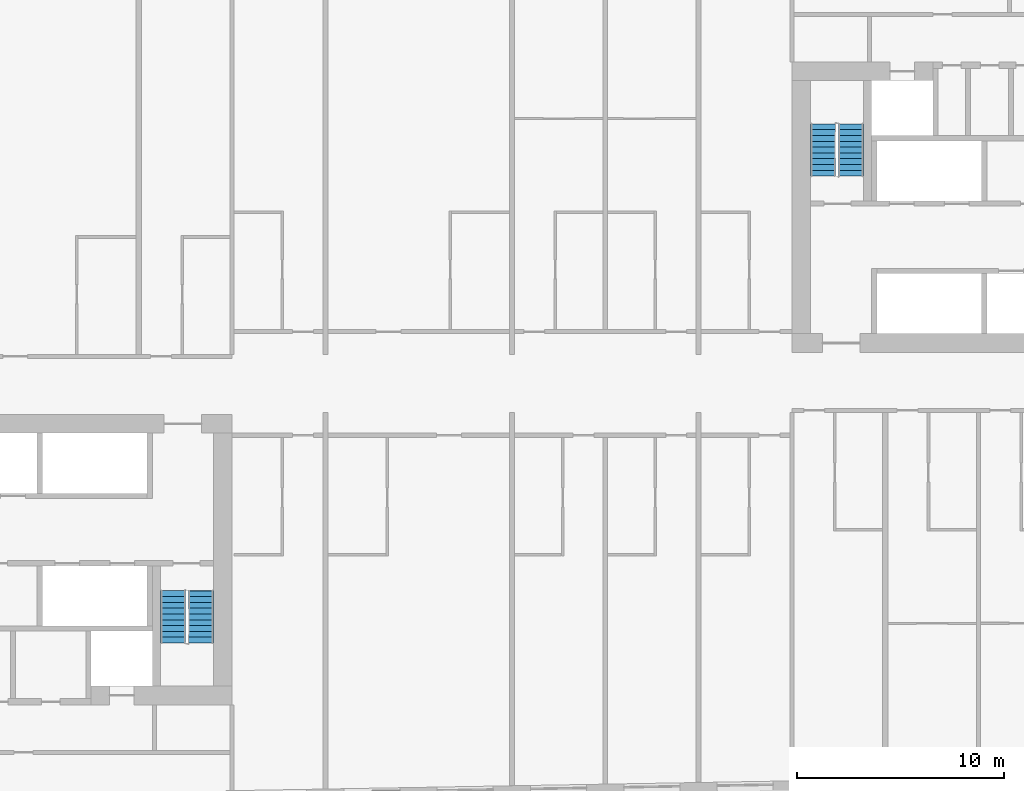
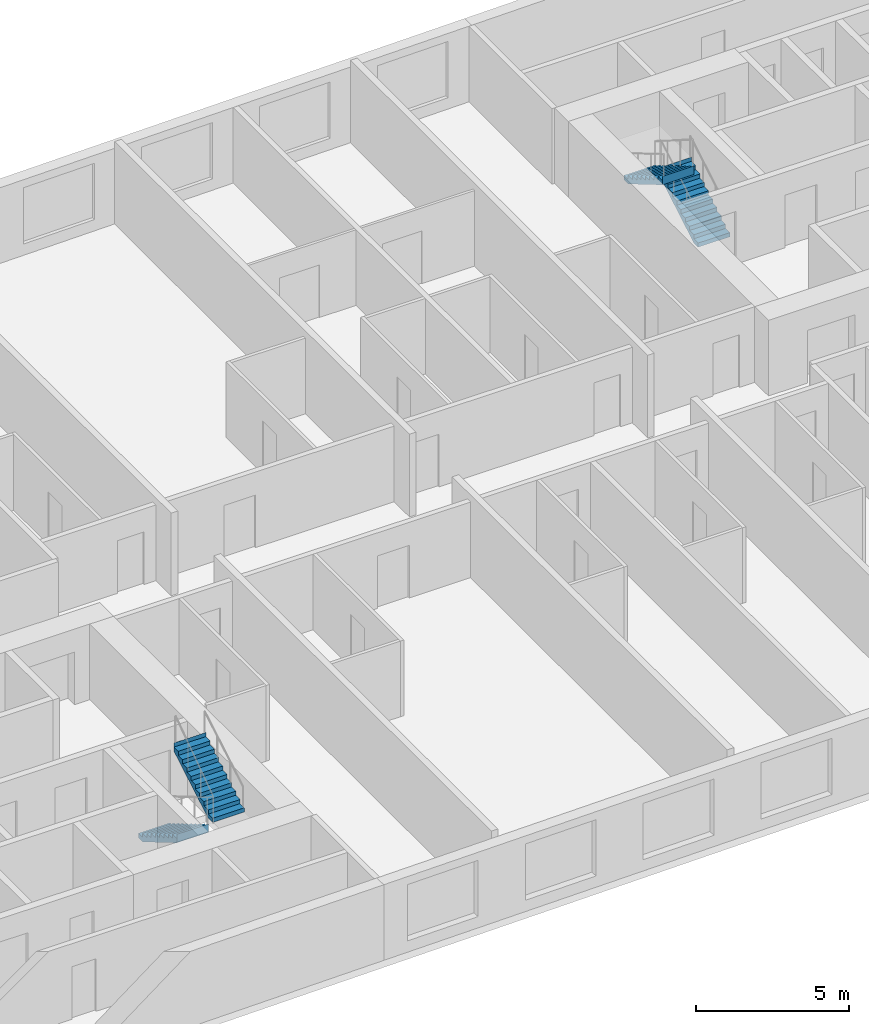
# One storey, part 9 of 11: 4 stair flights, 2 elements without a shape of their own.
"""IFC4 building model written with IfcOpenShell, lengths in metres."""

from ifc_helpers import new_model, si_unit, direction, frame, origin, place, context, subcontext, project, spatial, faceted_brep, material, type_object, element, aggregate, save


model = new_model("IFC4")

# Units and contexts
model_context = context("Model", 3, precision=1e-05, world=origin(), true_north=direction((0.0, 1.0)))
body_context = subcontext(model_context, "Body", "Model", "MODEL_VIEW")
ifc_project = project(units=[si_unit("LENGTHUNIT", "METRE"), si_unit("AREAUNIT", "SQUARE_METRE"), si_unit("VOLUMEUNIT", "CUBIC_METRE"), si_unit("PLANEANGLEUNIT", "RADIAN"), si_unit("MASSUNIT", "GRAM", prefix="KILO")], contexts=[model_context])

# Site, building, storey
site_placement = place(None, origin())
site = spatial("IfcSite", under=ifc_project, at=site_placement, CompositionType="ELEMENT")
building_placement = place(site_placement, origin())
building = spatial("IfcBuilding", under=site, at=building_placement, Name="Kajstack Hotel Tower", CompositionType="ELEMENT")
storey_placement = place(building_placement, frame((0.0, 0.0, 230.89990234375)))
storey = spatial("IfcBuildingStorey", under=building, at=storey_placement, Name="L56", CompositionType="ELEMENT", Elevation=230.89990234375)

# Stair, stair flights
ifc_material = material(Name="Concrete C40/50", Category="concrete")
stair_type = type_object("IfcStairType", Name="Exit stair 1200", PredefinedType="HALF_TURN_STAIR", material=ifc_material)
stair_1_placement = place(storey_placement, origin())
stair_1 = element("IfcStair", 1, at=stair_1_placement, inside=storey, type_object=stair_type, Name="L56 stair W2", PredefinedType="HALF_TURN_STAIR")
stair_flight_type = type_object("IfcStairFlightType", Name="Exit stair flight 1200", PredefinedType="STRAIGHT", material=ifc_material)
stair_flight_1_placement = place(storey_placement, frame((-16.35009765625, -10.0, 0.0), z_axis=(0.0, 0.0, 1.0), x_axis=(0.0, -1.0, 0.0)))
stair_flight_1 = element("IfcStairFlight", 2, at=stair_flight_1_placement, type_object=stair_flight_type, Name="W2 flight 1", NumberOfRisers=10, NumberOfTreads=9, PredefinedType="STRAIGHT", RiserHeight=0.165, TreadLength=0.28, context=body_context, shape_type="Brep", body=[
    faceted_brep([(0.295654296875, -0.60009765625, 0.0), (2.5205078125, -0.60009765625, 1.31103515625), (2.5205078125, -0.60009765625, 1.64990234375), (2.52001953125, -0.60009765625, 1.64990234375), (2.52001953125, -0.60009765625, 1.485107421875), (2.239990234375, -0.60009765625, 1.485107421875), (2.239990234375, -0.60009765625, 1.320068359375), (1.9599609375, -0.60009765625, 1.320068359375), (1.9599609375, -0.60009765625, 1.155029296875), (1.679931640625, -0.60009765625, 1.155029296875), (1.679931640625, -0.60009765625, 0.989990234375), (1.39990234375, -0.60009765625, 0.989990234375), (1.39990234375, -0.60009765625, 0.824951171875), (1.1201171875, -0.60009765625, 0.824951171875), (1.1201171875, -0.60009765625, 0.659912109375), (0.840087890625, -0.60009765625, 0.659912109375), (0.840087890625, -0.60009765625, 0.4951171875), (0.56005859375, -0.60009765625, 0.4951171875), (0.56005859375, -0.60009765625, 0.330078125), (0.280029296875, -0.60009765625, 0.330078125), (0.280029296875, -0.60009765625, 0.1650390625), (-0.00048828125, -0.60009765625, 0.1650390625), (-0.00048828125, -0.60009765625, 0.0), (-0.00048828125, 0.60009765625, 0.0), (-0.00048828125, 0.60009765625, 0.1650390625), (0.280029296875, 0.60009765625, 0.1650390625), (0.280029296875, 0.60009765625, 0.330078125), (0.56005859375, 0.60009765625, 0.330078125), (0.56005859375, 0.60009765625, 0.4951171875), (0.840087890625, 0.60009765625, 0.4951171875), (0.840087890625, 0.60009765625, 0.659912109375), (1.1201171875, 0.60009765625, 0.659912109375), (1.1201171875, 0.60009765625, 0.824951171875), (1.39990234375, 0.60009765625, 0.824951171875), (1.39990234375, 0.60009765625, 0.989990234375), (1.679931640625, 0.60009765625, 0.989990234375), (1.679931640625, 0.60009765625, 1.155029296875), (1.9599609375, 0.60009765625, 1.155029296875), (1.9599609375, 0.60009765625, 1.320068359375), (2.239990234375, 0.60009765625, 1.320068359375), (2.239990234375, 0.60009765625, 1.485107421875), (2.52001953125, 0.60009765625, 1.485107421875), (2.52001953125, 0.60009765625, 1.64990234375), (2.5205078125, 0.60009765625, 1.64990234375), (2.5205078125, 0.60009765625, 1.31103515625), (0.295654296875, 0.60009765625, 0.0), (-0.00048828125, -0.300048828125, 0.1650390625), (-0.00048828125, 0.0, 0.1650390625), (-0.00048828125, 0.300048828125, 0.1650390625), (-0.00048828125, 0.300048828125, 0.0), (-0.00048828125, 0.0, 0.0), (-0.00048828125, -0.300048828125, 0.0), (0.280029296875, -0.300048828125, 0.1650390625), (0.280029296875, 0.0, 0.1650390625), (0.280029296875, 0.300048828125, 0.1650390625), (0.280029296875, -0.300048828125, 0.330078125), (0.280029296875, 0.0, 0.330078125), (0.280029296875, 0.300048828125, 0.330078125), (0.56005859375, -0.300048828125, 0.330078125), (0.56005859375, 0.0, 0.330078125), (0.56005859375, 0.300048828125, 0.330078125), (0.56005859375, -0.300048828125, 0.4951171875), (0.56005859375, 0.0, 0.4951171875), (0.56005859375, 0.300048828125, 0.4951171875), (0.840087890625, -0.300048828125, 0.4951171875), (0.840087890625, 0.0, 0.4951171875), (0.840087890625, 0.300048828125, 0.4951171875), (0.840087890625, -0.300048828125, 0.659912109375), (0.840087890625, 0.0, 0.659912109375), (0.840087890625, 0.300048828125, 0.659912109375), (1.1201171875, -0.300048828125, 0.659912109375), (1.1201171875, 0.0, 0.659912109375), (1.1201171875, 0.300048828125, 0.659912109375), (1.1201171875, -0.300048828125, 0.824951171875), (1.1201171875, 0.0, 0.824951171875), (1.1201171875, 0.300048828125, 0.824951171875), (1.39990234375, -0.300048828125, 0.824951171875), (1.39990234375, 0.0, 0.824951171875), (1.39990234375, 0.300048828125, 0.824951171875), (1.39990234375, -0.300048828125, 0.989990234375), (1.39990234375, 0.0, 0.989990234375), (1.39990234375, 0.300048828125, 0.989990234375), (1.679931640625, -0.300048828125, 0.989990234375), (1.679931640625, 0.0, 0.989990234375), (1.679931640625, 0.300048828125, 0.989990234375), (1.679931640625, -0.300048828125, 1.155029296875), (1.679931640625, 0.0, 1.155029296875), (1.679931640625, 0.300048828125, 1.155029296875), (1.9599609375, -0.300048828125, 1.155029296875), (1.9599609375, 0.0, 1.155029296875), (1.9599609375, 0.300048828125, 1.155029296875), (1.9599609375, -0.300048828125, 1.320068359375), (1.9599609375, 0.0, 1.320068359375), (1.9599609375, 0.300048828125, 1.320068359375), (2.239990234375, -0.300048828125, 1.320068359375), (2.239990234375, 0.0, 1.320068359375), (2.239990234375, 0.300048828125, 1.320068359375), (2.239990234375, -0.300048828125, 1.485107421875), (2.239990234375, 0.0, 1.485107421875), (2.239990234375, 0.300048828125, 1.485107421875), (2.52001953125, -0.300048828125, 1.485107421875), (2.52001953125, 0.0, 1.485107421875), (2.52001953125, 0.300048828125, 1.485107421875), (2.52001953125, -0.300048828125, 1.64990234375), (2.52001953125, 0.0, 1.64990234375), (2.52001953125, 0.300048828125, 1.64990234375), (2.5205078125, -0.300048828125, 1.64990234375), (2.5205078125, 0.0, 1.64990234375), (2.5205078125, 0.300048828125, 1.64990234375), (2.5205078125, -0.300048828125, 1.31103515625), (2.5205078125, 0.0, 1.31103515625), (2.5205078125, 0.300048828125, 1.31103515625), (0.295654296875, -0.300048828125, 0.0), (0.295654296875, 0.0, 0.0), (0.295654296875, 0.300048828125, 0.0)], [[[0, 1, 2, 3, 4, 5, 6, 7, 8, 9, 10, 11, 12, 13, 14, 15, 16, 17, 18, 19, 20, 21, 22]], [[23, 24, 25, 26, 27, 28, 29, 30, 31, 32, 33, 34, 35, 36, 37, 38, 39, 40, 41, 42, 43, 44, 45]], [[21, 46, 47, 48, 24, 23, 49, 50, 51, 22]], [[20, 52, 53, 54, 25, 24, 48, 47, 46, 21]], [[19, 55, 56, 57, 26, 25, 54, 53, 52, 20]], [[18, 58, 59, 60, 27, 26, 57, 56, 55, 19]], [[17, 61, 62, 63, 28, 27, 60, 59, 58, 18]], [[16, 64, 65, 66, 29, 28, 63, 62, 61, 17]], [[15, 67, 68, 69, 30, 29, 66, 65, 64, 16]], [[14, 70, 71, 72, 31, 30, 69, 68, 67, 15]], [[13, 73, 74, 75, 32, 31, 72, 71, 70, 14]], [[12, 76, 77, 78, 33, 32, 75, 74, 73, 13]], [[11, 79, 80, 81, 34, 33, 78, 77, 76, 12]], [[10, 82, 83, 84, 35, 34, 81, 80, 79, 11]], [[9, 85, 86, 87, 36, 35, 84, 83, 82, 10]], [[8, 88, 89, 90, 37, 36, 87, 86, 85, 9]], [[7, 91, 92, 93, 38, 37, 90, 89, 88, 8]], [[6, 94, 95, 96, 39, 38, 93, 92, 91, 7]], [[5, 97, 98, 99, 40, 39, 96, 95, 94, 6]], [[4, 100, 101, 102, 41, 40, 99, 98, 97, 5]], [[3, 103, 104, 105, 42, 41, 102, 101, 100, 4]], [[2, 106, 107, 108, 43, 42, 105, 104, 103, 3]], [[1, 109, 110, 111, 44, 43, 108, 107, 106, 2]], [[0, 112, 113, 114, 45, 44, 111, 110, 109, 1]], [[22, 51, 50, 49, 23, 45, 114, 113, 112, 0]]]),
])
stair_flight_2_placement = place(storey_placement, frame((-15.0, -12.52001953125, 1.650146484375), z_axis=(0.0, 0.0, 1.0), x_axis=(0.0, 1.0, 0.0)))
stair_flight_2 = element("IfcStairFlight", 3, at=stair_flight_2_placement, type_object=stair_flight_type, Name="W2 flight 2", NumberOfRisers=10, NumberOfTreads=9, PredefinedType="STRAIGHT", RiserHeight=0.165, TreadLength=0.28, context=body_context, shape_type="Brep", body=[
    faceted_brep([(0.295654296875, -0.60009765625, 0.0), (2.5205078125, -0.60009765625, 1.31103515625), (2.5205078125, -0.60009765625, 1.64990234375), (2.52001953125, -0.60009765625, 1.64990234375), (2.52001953125, -0.60009765625, 1.485107421875), (2.239990234375, -0.60009765625, 1.485107421875), (2.239990234375, -0.60009765625, 1.320068359375), (1.9599609375, -0.60009765625, 1.320068359375), (1.9599609375, -0.60009765625, 1.155029296875), (1.679931640625, -0.60009765625, 1.155029296875), (1.679931640625, -0.60009765625, 0.989990234375), (1.39990234375, -0.60009765625, 0.989990234375), (1.39990234375, -0.60009765625, 0.824951171875), (1.1201171875, -0.60009765625, 0.824951171875), (1.1201171875, -0.60009765625, 0.659912109375), (0.840087890625, -0.60009765625, 0.659912109375), (0.840087890625, -0.60009765625, 0.4951171875), (0.56005859375, -0.60009765625, 0.4951171875), (0.56005859375, -0.60009765625, 0.330078125), (0.280029296875, -0.60009765625, 0.330078125), (0.280029296875, -0.60009765625, 0.1650390625), (-0.00048828125, -0.60009765625, 0.1650390625), (-0.00048828125, -0.60009765625, 0.0), (-0.00048828125, 0.60009765625, 0.0), (-0.00048828125, 0.60009765625, 0.1650390625), (0.280029296875, 0.60009765625, 0.1650390625), (0.280029296875, 0.60009765625, 0.330078125), (0.56005859375, 0.60009765625, 0.330078125), (0.56005859375, 0.60009765625, 0.4951171875), (0.840087890625, 0.60009765625, 0.4951171875), (0.840087890625, 0.60009765625, 0.659912109375), (1.1201171875, 0.60009765625, 0.659912109375), (1.1201171875, 0.60009765625, 0.824951171875), (1.39990234375, 0.60009765625, 0.824951171875), (1.39990234375, 0.60009765625, 0.989990234375), (1.679931640625, 0.60009765625, 0.989990234375), (1.679931640625, 0.60009765625, 1.155029296875), (1.9599609375, 0.60009765625, 1.155029296875), (1.9599609375, 0.60009765625, 1.320068359375), (2.239990234375, 0.60009765625, 1.320068359375), (2.239990234375, 0.60009765625, 1.485107421875), (2.52001953125, 0.60009765625, 1.485107421875), (2.52001953125, 0.60009765625, 1.64990234375), (2.5205078125, 0.60009765625, 1.64990234375), (2.5205078125, 0.60009765625, 1.31103515625), (0.295654296875, 0.60009765625, 0.0), (-0.00048828125, -0.300048828125, 0.1650390625), (-0.00048828125, 0.0, 0.1650390625), (-0.00048828125, 0.300048828125, 0.1650390625), (-0.00048828125, 0.300048828125, 0.0), (-0.00048828125, 0.0, 0.0), (-0.00048828125, -0.300048828125, 0.0), (0.280029296875, -0.300048828125, 0.1650390625), (0.280029296875, 0.0, 0.1650390625), (0.280029296875, 0.300048828125, 0.1650390625), (0.280029296875, -0.300048828125, 0.330078125), (0.280029296875, 0.0, 0.330078125), (0.280029296875, 0.300048828125, 0.330078125), (0.56005859375, -0.300048828125, 0.330078125), (0.56005859375, 0.0, 0.330078125), (0.56005859375, 0.300048828125, 0.330078125), (0.56005859375, -0.300048828125, 0.4951171875), (0.56005859375, 0.0, 0.4951171875), (0.56005859375, 0.300048828125, 0.4951171875), (0.840087890625, -0.300048828125, 0.4951171875), (0.840087890625, 0.0, 0.4951171875), (0.840087890625, 0.300048828125, 0.4951171875), (0.840087890625, -0.300048828125, 0.659912109375), (0.840087890625, 0.0, 0.659912109375), (0.840087890625, 0.300048828125, 0.659912109375), (1.1201171875, -0.300048828125, 0.659912109375), (1.1201171875, 0.0, 0.659912109375), (1.1201171875, 0.300048828125, 0.659912109375), (1.1201171875, -0.300048828125, 0.824951171875), (1.1201171875, 0.0, 0.824951171875), (1.1201171875, 0.300048828125, 0.824951171875), (1.39990234375, -0.300048828125, 0.824951171875), (1.39990234375, 0.0, 0.824951171875), (1.39990234375, 0.300048828125, 0.824951171875), (1.39990234375, -0.300048828125, 0.989990234375), (1.39990234375, 0.0, 0.989990234375), (1.39990234375, 0.300048828125, 0.989990234375), (1.679931640625, -0.300048828125, 0.989990234375), (1.679931640625, 0.0, 0.989990234375), (1.679931640625, 0.300048828125, 0.989990234375), (1.679931640625, -0.300048828125, 1.155029296875), (1.679931640625, 0.0, 1.155029296875), (1.679931640625, 0.300048828125, 1.155029296875), (1.9599609375, -0.300048828125, 1.155029296875), (1.9599609375, 0.0, 1.155029296875), (1.9599609375, 0.300048828125, 1.155029296875), (1.9599609375, -0.300048828125, 1.320068359375), (1.9599609375, 0.0, 1.320068359375), (1.9599609375, 0.300048828125, 1.320068359375), (2.239990234375, -0.300048828125, 1.320068359375), (2.239990234375, 0.0, 1.320068359375), (2.239990234375, 0.300048828125, 1.320068359375), (2.239990234375, -0.300048828125, 1.485107421875), (2.239990234375, 0.0, 1.485107421875), (2.239990234375, 0.300048828125, 1.485107421875), (2.52001953125, -0.300048828125, 1.485107421875), (2.52001953125, 0.0, 1.485107421875), (2.52001953125, 0.300048828125, 1.485107421875), (2.52001953125, -0.300048828125, 1.64990234375), (2.52001953125, 0.0, 1.64990234375), (2.52001953125, 0.300048828125, 1.64990234375), (2.5205078125, -0.300048828125, 1.64990234375), (2.5205078125, 0.0, 1.64990234375), (2.5205078125, 0.300048828125, 1.64990234375), (2.5205078125, -0.300048828125, 1.31103515625), (2.5205078125, 0.0, 1.31103515625), (2.5205078125, 0.300048828125, 1.31103515625), (0.295654296875, -0.300048828125, 0.0), (0.295654296875, 0.0, 0.0), (0.295654296875, 0.300048828125, 0.0)], [[[0, 1, 2, 3, 4, 5, 6, 7, 8, 9, 10, 11, 12, 13, 14, 15, 16, 17, 18, 19, 20, 21, 22]], [[23, 24, 25, 26, 27, 28, 29, 30, 31, 32, 33, 34, 35, 36, 37, 38, 39, 40, 41, 42, 43, 44, 45]], [[21, 46, 47, 48, 24, 23, 49, 50, 51, 22]], [[20, 52, 53, 54, 25, 24, 48, 47, 46, 21]], [[19, 55, 56, 57, 26, 25, 54, 53, 52, 20]], [[18, 58, 59, 60, 27, 26, 57, 56, 55, 19]], [[17, 61, 62, 63, 28, 27, 60, 59, 58, 18]], [[16, 64, 65, 66, 29, 28, 63, 62, 61, 17]], [[15, 67, 68, 69, 30, 29, 66, 65, 64, 16]], [[14, 70, 71, 72, 31, 30, 69, 68, 67, 15]], [[13, 73, 74, 75, 32, 31, 72, 71, 70, 14]], [[12, 76, 77, 78, 33, 32, 75, 74, 73, 13]], [[11, 79, 80, 81, 34, 33, 78, 77, 76, 12]], [[10, 82, 83, 84, 35, 34, 81, 80, 79, 11]], [[9, 85, 86, 87, 36, 35, 84, 83, 82, 10]], [[8, 88, 89, 90, 37, 36, 87, 86, 85, 9]], [[7, 91, 92, 93, 38, 37, 90, 89, 88, 8]], [[6, 94, 95, 96, 39, 38, 93, 92, 91, 7]], [[5, 97, 98, 99, 40, 39, 96, 95, 94, 6]], [[4, 100, 101, 102, 41, 40, 99, 98, 97, 5]], [[3, 103, 104, 105, 42, 41, 102, 101, 100, 4]], [[2, 106, 107, 108, 43, 42, 105, 104, 103, 3]], [[1, 109, 110, 111, 44, 43, 108, 107, 106, 2]], [[0, 112, 113, 114, 45, 44, 111, 110, 109, 1]], [[22, 51, 50, 49, 23, 45, 114, 113, 112, 0]]]),
])
aggregate(stair_1, [stair_flight_1, stair_flight_2])

stair_2_placement = place(storey_placement, origin())
stair_2 = element("IfcStair", 4, at=stair_2_placement, inside=storey, type_object=stair_type, Name="L56 stair E2", PredefinedType="HALF_TURN_STAIR")
stair_flight_3_placement = place(storey_placement, frame((16.35009765625, 10.0, 0.0), z_axis=(0.0, 0.0, 1.0), x_axis=(0.0, 1.0, 0.0)))
stair_flight_3 = element("IfcStairFlight", 5, at=stair_flight_3_placement, type_object=stair_flight_type, Name="E2 flight 1", NumberOfRisers=10, NumberOfTreads=9, PredefinedType="STRAIGHT", RiserHeight=0.165, TreadLength=0.28, context=body_context, shape_type="Brep", body=[
    faceted_brep([(0.295654296875, -0.60009765625, 0.0), (2.5205078125, -0.60009765625, 1.31103515625), (2.5205078125, -0.60009765625, 1.64990234375), (2.52001953125, -0.60009765625, 1.64990234375), (2.52001953125, -0.60009765625, 1.485107421875), (2.239990234375, -0.60009765625, 1.485107421875), (2.239990234375, -0.60009765625, 1.320068359375), (1.9599609375, -0.60009765625, 1.320068359375), (1.9599609375, -0.60009765625, 1.155029296875), (1.679931640625, -0.60009765625, 1.155029296875), (1.679931640625, -0.60009765625, 0.989990234375), (1.39990234375, -0.60009765625, 0.989990234375), (1.39990234375, -0.60009765625, 0.824951171875), (1.1201171875, -0.60009765625, 0.824951171875), (1.1201171875, -0.60009765625, 0.659912109375), (0.840087890625, -0.60009765625, 0.659912109375), (0.840087890625, -0.60009765625, 0.4951171875), (0.56005859375, -0.60009765625, 0.4951171875), (0.56005859375, -0.60009765625, 0.330078125), (0.280029296875, -0.60009765625, 0.330078125), (0.280029296875, -0.60009765625, 0.1650390625), (-0.00048828125, -0.60009765625, 0.1650390625), (-0.00048828125, -0.60009765625, 0.0), (-0.00048828125, 0.60009765625, 0.0), (-0.00048828125, 0.60009765625, 0.1650390625), (0.280029296875, 0.60009765625, 0.1650390625), (0.280029296875, 0.60009765625, 0.330078125), (0.56005859375, 0.60009765625, 0.330078125), (0.56005859375, 0.60009765625, 0.4951171875), (0.840087890625, 0.60009765625, 0.4951171875), (0.840087890625, 0.60009765625, 0.659912109375), (1.1201171875, 0.60009765625, 0.659912109375), (1.1201171875, 0.60009765625, 0.824951171875), (1.39990234375, 0.60009765625, 0.824951171875), (1.39990234375, 0.60009765625, 0.989990234375), (1.679931640625, 0.60009765625, 0.989990234375), (1.679931640625, 0.60009765625, 1.155029296875), (1.9599609375, 0.60009765625, 1.155029296875), (1.9599609375, 0.60009765625, 1.320068359375), (2.239990234375, 0.60009765625, 1.320068359375), (2.239990234375, 0.60009765625, 1.485107421875), (2.52001953125, 0.60009765625, 1.485107421875), (2.52001953125, 0.60009765625, 1.64990234375), (2.5205078125, 0.60009765625, 1.64990234375), (2.5205078125, 0.60009765625, 1.31103515625), (0.295654296875, 0.60009765625, 0.0), (-0.00048828125, -0.300048828125, 0.1650390625), (-0.00048828125, 0.0, 0.1650390625), (-0.00048828125, 0.300048828125, 0.1650390625), (-0.00048828125, 0.300048828125, 0.0), (-0.00048828125, 0.0, 0.0), (-0.00048828125, -0.300048828125, 0.0), (0.280029296875, -0.300048828125, 0.1650390625), (0.280029296875, 0.0, 0.1650390625), (0.280029296875, 0.300048828125, 0.1650390625), (0.280029296875, -0.300048828125, 0.330078125), (0.280029296875, 0.0, 0.330078125), (0.280029296875, 0.300048828125, 0.330078125), (0.56005859375, -0.300048828125, 0.330078125), (0.56005859375, 0.0, 0.330078125), (0.56005859375, 0.300048828125, 0.330078125), (0.56005859375, -0.300048828125, 0.4951171875), (0.56005859375, 0.0, 0.4951171875), (0.56005859375, 0.300048828125, 0.4951171875), (0.840087890625, -0.300048828125, 0.4951171875), (0.840087890625, 0.0, 0.4951171875), (0.840087890625, 0.300048828125, 0.4951171875), (0.840087890625, -0.300048828125, 0.659912109375), (0.840087890625, 0.0, 0.659912109375), (0.840087890625, 0.300048828125, 0.659912109375), (1.1201171875, -0.300048828125, 0.659912109375), (1.1201171875, 0.0, 0.659912109375), (1.1201171875, 0.300048828125, 0.659912109375), (1.1201171875, -0.300048828125, 0.824951171875), (1.1201171875, 0.0, 0.824951171875), (1.1201171875, 0.300048828125, 0.824951171875), (1.39990234375, -0.300048828125, 0.824951171875), (1.39990234375, 0.0, 0.824951171875), (1.39990234375, 0.300048828125, 0.824951171875), (1.39990234375, -0.300048828125, 0.989990234375), (1.39990234375, 0.0, 0.989990234375), (1.39990234375, 0.300048828125, 0.989990234375), (1.679931640625, -0.300048828125, 0.989990234375), (1.679931640625, 0.0, 0.989990234375), (1.679931640625, 0.300048828125, 0.989990234375), (1.679931640625, -0.300048828125, 1.155029296875), (1.679931640625, 0.0, 1.155029296875), (1.679931640625, 0.300048828125, 1.155029296875), (1.9599609375, -0.300048828125, 1.155029296875), (1.9599609375, 0.0, 1.155029296875), (1.9599609375, 0.300048828125, 1.155029296875), (1.9599609375, -0.300048828125, 1.320068359375), (1.9599609375, 0.0, 1.320068359375), (1.9599609375, 0.300048828125, 1.320068359375), (2.239990234375, -0.300048828125, 1.320068359375), (2.239990234375, 0.0, 1.320068359375), (2.239990234375, 0.300048828125, 1.320068359375), (2.239990234375, -0.300048828125, 1.485107421875), (2.239990234375, 0.0, 1.485107421875), (2.239990234375, 0.300048828125, 1.485107421875), (2.52001953125, -0.300048828125, 1.485107421875), (2.52001953125, 0.0, 1.485107421875), (2.52001953125, 0.300048828125, 1.485107421875), (2.52001953125, -0.300048828125, 1.64990234375), (2.52001953125, 0.0, 1.64990234375), (2.52001953125, 0.300048828125, 1.64990234375), (2.5205078125, -0.300048828125, 1.64990234375), (2.5205078125, 0.0, 1.64990234375), (2.5205078125, 0.300048828125, 1.64990234375), (2.5205078125, -0.300048828125, 1.31103515625), (2.5205078125, 0.0, 1.31103515625), (2.5205078125, 0.300048828125, 1.31103515625), (0.295654296875, -0.300048828125, 0.0), (0.295654296875, 0.0, 0.0), (0.295654296875, 0.300048828125, 0.0)], [[[0, 1, 2, 3, 4, 5, 6, 7, 8, 9, 10, 11, 12, 13, 14, 15, 16, 17, 18, 19, 20, 21, 22]], [[23, 24, 25, 26, 27, 28, 29, 30, 31, 32, 33, 34, 35, 36, 37, 38, 39, 40, 41, 42, 43, 44, 45]], [[21, 46, 47, 48, 24, 23, 49, 50, 51, 22]], [[20, 52, 53, 54, 25, 24, 48, 47, 46, 21]], [[19, 55, 56, 57, 26, 25, 54, 53, 52, 20]], [[18, 58, 59, 60, 27, 26, 57, 56, 55, 19]], [[17, 61, 62, 63, 28, 27, 60, 59, 58, 18]], [[16, 64, 65, 66, 29, 28, 63, 62, 61, 17]], [[15, 67, 68, 69, 30, 29, 66, 65, 64, 16]], [[14, 70, 71, 72, 31, 30, 69, 68, 67, 15]], [[13, 73, 74, 75, 32, 31, 72, 71, 70, 14]], [[12, 76, 77, 78, 33, 32, 75, 74, 73, 13]], [[11, 79, 80, 81, 34, 33, 78, 77, 76, 12]], [[10, 82, 83, 84, 35, 34, 81, 80, 79, 11]], [[9, 85, 86, 87, 36, 35, 84, 83, 82, 10]], [[8, 88, 89, 90, 37, 36, 87, 86, 85, 9]], [[7, 91, 92, 93, 38, 37, 90, 89, 88, 8]], [[6, 94, 95, 96, 39, 38, 93, 92, 91, 7]], [[5, 97, 98, 99, 40, 39, 96, 95, 94, 6]], [[4, 100, 101, 102, 41, 40, 99, 98, 97, 5]], [[3, 103, 104, 105, 42, 41, 102, 101, 100, 4]], [[2, 106, 107, 108, 43, 42, 105, 104, 103, 3]], [[1, 109, 110, 111, 44, 43, 108, 107, 106, 2]], [[0, 112, 113, 114, 45, 44, 111, 110, 109, 1]], [[22, 51, 50, 49, 23, 45, 114, 113, 112, 0]]]),
])
stair_flight_4_placement = place(storey_placement, frame((15.0, 12.52001953125, 1.650146484375), z_axis=(0.0, 0.0, 1.0), x_axis=(0.0, -1.0, 0.0)))
stair_flight_4 = element("IfcStairFlight", 6, at=stair_flight_4_placement, type_object=stair_flight_type, Name="E2 flight 2", NumberOfRisers=10, NumberOfTreads=9, PredefinedType="STRAIGHT", RiserHeight=0.165, TreadLength=0.28, context=body_context, shape_type="Brep", body=[
    faceted_brep([(0.295654296875, -0.60009765625, 0.0), (2.5205078125, -0.60009765625, 1.31103515625), (2.5205078125, -0.60009765625, 1.64990234375), (2.52001953125, -0.60009765625, 1.64990234375), (2.52001953125, -0.60009765625, 1.485107421875), (2.239990234375, -0.60009765625, 1.485107421875), (2.239990234375, -0.60009765625, 1.320068359375), (1.9599609375, -0.60009765625, 1.320068359375), (1.9599609375, -0.60009765625, 1.155029296875), (1.679931640625, -0.60009765625, 1.155029296875), (1.679931640625, -0.60009765625, 0.989990234375), (1.39990234375, -0.60009765625, 0.989990234375), (1.39990234375, -0.60009765625, 0.824951171875), (1.1201171875, -0.60009765625, 0.824951171875), (1.1201171875, -0.60009765625, 0.659912109375), (0.840087890625, -0.60009765625, 0.659912109375), (0.840087890625, -0.60009765625, 0.4951171875), (0.56005859375, -0.60009765625, 0.4951171875), (0.56005859375, -0.60009765625, 0.330078125), (0.280029296875, -0.60009765625, 0.330078125), (0.280029296875, -0.60009765625, 0.1650390625), (-0.00048828125, -0.60009765625, 0.1650390625), (-0.00048828125, -0.60009765625, 0.0), (-0.00048828125, 0.60009765625, 0.0), (-0.00048828125, 0.60009765625, 0.1650390625), (0.280029296875, 0.60009765625, 0.1650390625), (0.280029296875, 0.60009765625, 0.330078125), (0.56005859375, 0.60009765625, 0.330078125), (0.56005859375, 0.60009765625, 0.4951171875), (0.840087890625, 0.60009765625, 0.4951171875), (0.840087890625, 0.60009765625, 0.659912109375), (1.1201171875, 0.60009765625, 0.659912109375), (1.1201171875, 0.60009765625, 0.824951171875), (1.39990234375, 0.60009765625, 0.824951171875), (1.39990234375, 0.60009765625, 0.989990234375), (1.679931640625, 0.60009765625, 0.989990234375), (1.679931640625, 0.60009765625, 1.155029296875), (1.9599609375, 0.60009765625, 1.155029296875), (1.9599609375, 0.60009765625, 1.320068359375), (2.239990234375, 0.60009765625, 1.320068359375), (2.239990234375, 0.60009765625, 1.485107421875), (2.52001953125, 0.60009765625, 1.485107421875), (2.52001953125, 0.60009765625, 1.64990234375), (2.5205078125, 0.60009765625, 1.64990234375), (2.5205078125, 0.60009765625, 1.31103515625), (0.295654296875, 0.60009765625, 0.0), (-0.00048828125, -0.300048828125, 0.1650390625), (-0.00048828125, 0.0, 0.1650390625), (-0.00048828125, 0.300048828125, 0.1650390625), (-0.00048828125, 0.300048828125, 0.0), (-0.00048828125, 0.0, 0.0), (-0.00048828125, -0.300048828125, 0.0), (0.280029296875, -0.300048828125, 0.1650390625), (0.280029296875, 0.0, 0.1650390625), (0.280029296875, 0.300048828125, 0.1650390625), (0.280029296875, -0.300048828125, 0.330078125), (0.280029296875, 0.0, 0.330078125), (0.280029296875, 0.300048828125, 0.330078125), (0.56005859375, -0.300048828125, 0.330078125), (0.56005859375, 0.0, 0.330078125), (0.56005859375, 0.300048828125, 0.330078125), (0.56005859375, -0.300048828125, 0.4951171875), (0.56005859375, 0.0, 0.4951171875), (0.56005859375, 0.300048828125, 0.4951171875), (0.840087890625, -0.300048828125, 0.4951171875), (0.840087890625, 0.0, 0.4951171875), (0.840087890625, 0.300048828125, 0.4951171875), (0.840087890625, -0.300048828125, 0.659912109375), (0.840087890625, 0.0, 0.659912109375), (0.840087890625, 0.300048828125, 0.659912109375), (1.1201171875, -0.300048828125, 0.659912109375), (1.1201171875, 0.0, 0.659912109375), (1.1201171875, 0.300048828125, 0.659912109375), (1.1201171875, -0.300048828125, 0.824951171875), (1.1201171875, 0.0, 0.824951171875), (1.1201171875, 0.300048828125, 0.824951171875), (1.39990234375, -0.300048828125, 0.824951171875), (1.39990234375, 0.0, 0.824951171875), (1.39990234375, 0.300048828125, 0.824951171875), (1.39990234375, -0.300048828125, 0.989990234375), (1.39990234375, 0.0, 0.989990234375), (1.39990234375, 0.300048828125, 0.989990234375), (1.679931640625, -0.300048828125, 0.989990234375), (1.679931640625, 0.0, 0.989990234375), (1.679931640625, 0.300048828125, 0.989990234375), (1.679931640625, -0.300048828125, 1.155029296875), (1.679931640625, 0.0, 1.155029296875), (1.679931640625, 0.300048828125, 1.155029296875), (1.9599609375, -0.300048828125, 1.155029296875), (1.9599609375, 0.0, 1.155029296875), (1.9599609375, 0.300048828125, 1.155029296875), (1.9599609375, -0.300048828125, 1.320068359375), (1.9599609375, 0.0, 1.320068359375), (1.9599609375, 0.300048828125, 1.320068359375), (2.239990234375, -0.300048828125, 1.320068359375), (2.239990234375, 0.0, 1.320068359375), (2.239990234375, 0.300048828125, 1.320068359375), (2.239990234375, -0.300048828125, 1.485107421875), (2.239990234375, 0.0, 1.485107421875), (2.239990234375, 0.300048828125, 1.485107421875), (2.52001953125, -0.300048828125, 1.485107421875), (2.52001953125, 0.0, 1.485107421875), (2.52001953125, 0.300048828125, 1.485107421875), (2.52001953125, -0.300048828125, 1.64990234375), (2.52001953125, 0.0, 1.64990234375), (2.52001953125, 0.300048828125, 1.64990234375), (2.5205078125, -0.300048828125, 1.64990234375), (2.5205078125, 0.0, 1.64990234375), (2.5205078125, 0.300048828125, 1.64990234375), (2.5205078125, -0.300048828125, 1.31103515625), (2.5205078125, 0.0, 1.31103515625), (2.5205078125, 0.300048828125, 1.31103515625), (0.295654296875, -0.300048828125, 0.0), (0.295654296875, 0.0, 0.0), (0.295654296875, 0.300048828125, 0.0)], [[[0, 1, 2, 3, 4, 5, 6, 7, 8, 9, 10, 11, 12, 13, 14, 15, 16, 17, 18, 19, 20, 21, 22]], [[23, 24, 25, 26, 27, 28, 29, 30, 31, 32, 33, 34, 35, 36, 37, 38, 39, 40, 41, 42, 43, 44, 45]], [[21, 46, 47, 48, 24, 23, 49, 50, 51, 22]], [[20, 52, 53, 54, 25, 24, 48, 47, 46, 21]], [[19, 55, 56, 57, 26, 25, 54, 53, 52, 20]], [[18, 58, 59, 60, 27, 26, 57, 56, 55, 19]], [[17, 61, 62, 63, 28, 27, 60, 59, 58, 18]], [[16, 64, 65, 66, 29, 28, 63, 62, 61, 17]], [[15, 67, 68, 69, 30, 29, 66, 65, 64, 16]], [[14, 70, 71, 72, 31, 30, 69, 68, 67, 15]], [[13, 73, 74, 75, 32, 31, 72, 71, 70, 14]], [[12, 76, 77, 78, 33, 32, 75, 74, 73, 13]], [[11, 79, 80, 81, 34, 33, 78, 77, 76, 12]], [[10, 82, 83, 84, 35, 34, 81, 80, 79, 11]], [[9, 85, 86, 87, 36, 35, 84, 83, 82, 10]], [[8, 88, 89, 90, 37, 36, 87, 86, 85, 9]], [[7, 91, 92, 93, 38, 37, 90, 89, 88, 8]], [[6, 94, 95, 96, 39, 38, 93, 92, 91, 7]], [[5, 97, 98, 99, 40, 39, 96, 95, 94, 6]], [[4, 100, 101, 102, 41, 40, 99, 98, 97, 5]], [[3, 103, 104, 105, 42, 41, 102, 101, 100, 4]], [[2, 106, 107, 108, 43, 42, 105, 104, 103, 3]], [[1, 109, 110, 111, 44, 43, 108, 107, 106, 2]], [[0, 112, 113, 114, 45, 44, 111, 110, 109, 1]], [[22, 51, 50, 49, 23, 45, 114, 113, 112, 0]]]),
])
aggregate(stair_2, [stair_flight_3, stair_flight_4])

save(model, "model.ifc")
